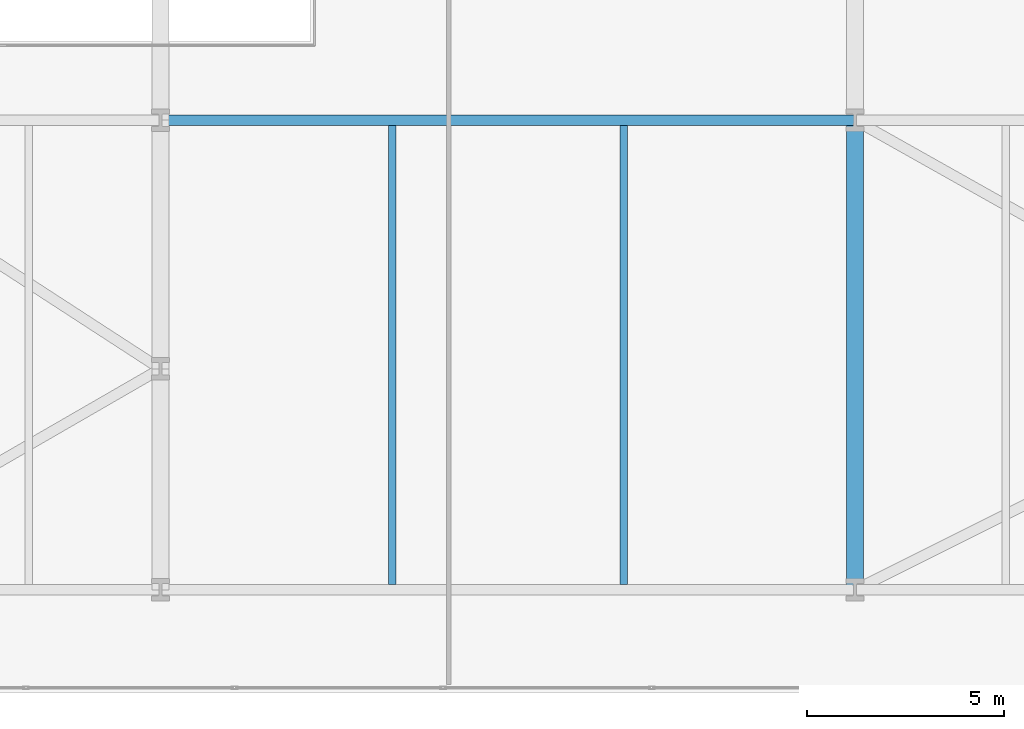
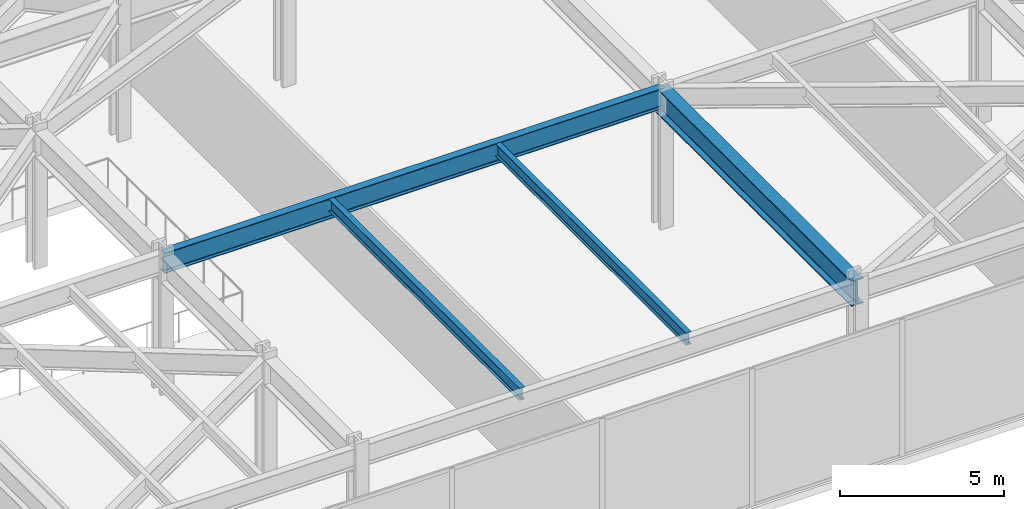
# One storey, part 15 of 29: 4 beams.
"""IFC4 building model written with IfcOpenShell, lengths in metres."""

from ifc_helpers import new_model, si_unit, direction, frame, origin, origin_2d, place, context, subcontext, project, spatial, i_section, extrude, material, material_profile, profile_set, type_object, element, save


model = new_model("IFC4")

# Units and contexts
model_context = context("Model", 3, precision=1e-05, world=origin(), true_north=direction((0.0, 1.0)))
body_context = subcontext(model_context, "Body", "Model", "MODEL_VIEW")
ifc_project = project(units=[si_unit("LENGTHUNIT", "METRE"), si_unit("AREAUNIT", "SQUARE_METRE"), si_unit("VOLUMEUNIT", "CUBIC_METRE"), si_unit("PLANEANGLEUNIT", "RADIAN"), si_unit("MASSUNIT", "GRAM", prefix="KILO")], contexts=[model_context])

# Site, building, storey
site_placement = place(None, origin())
site = spatial("IfcSite", under=ifc_project, at=site_placement, CompositionType="ELEMENT")
building_placement = place(site_placement, origin())
building = spatial("IfcBuilding", under=site, at=building_placement, Name="Kravanh Interchange Tower", CompositionType="ELEMENT")
storey_placement = place(building_placement, frame((0.0, 0.0, 5.39990234375)))
storey = spatial("IfcBuildingStorey", under=building, at=storey_placement, Name="L01", CompositionType="ELEMENT", Elevation=5.39990234375)

# Beams
ifc_material_1 = material(Name="Structural Steel S450", Category="steel")
ifc_material_profile_1 = material_profile(ifc_material_1, i_section(OverallWidth=0.423095703125, OverallDepth=0.947998046875, WebThickness=0.02392578125, FlangeThickness=0.042724609375, FilletRadius=0.028076171875, at=origin_2d()), Name="W36X302")
ifc_profile_set_1 = profile_set([ifc_material_profile_1], Name="Structural Steel S450")
beam_type_1 = type_object("IfcBeamType", Name="Floor Beam W36X302 Structural Steel S450", PredefinedType="BEAM", material=ifc_profile_set_1)
beam_1_placement = place(storey_placement, frame((44.800048828125, 2.60009765625, 4.656005859375), z_axis=(0.0, 1.0, 0.0), x_axis=(-1.0, 0.0, 0.0)))
element("IfcBeam", 1, at=beam_1_placement, inside=storey, type_object=beam_type_1, Name="L01 Primary Floor Girder 11", PredefinedType="BEAM", context=body_context, shape_type="SweptSolid", body=[
    extrude(i_section(OverallWidth=0.423095703125, OverallDepth=0.947998046875, WebThickness=0.02392578125, FlangeThickness=0.042724609375, FilletRadius=0.028076171875, at=origin_2d()), origin(), (0.0, 0.0, 1.0), 11.89990234375),
])
ifc_material_2 = material(Name="Structural Steel S355", Category="steel")
ifc_material_profile_2 = material_profile(ifc_material_2, i_section(OverallWidth=0.18994140625, OverallDepth=0.45703125, WebThickness=0.009033203125, FlangeThickness=0.014404296875, FilletRadius=0.01806640625, at=origin_2d()), Name="W18X50")
ifc_profile_set_2 = profile_set([ifc_material_profile_2], Name="Structural Steel S355")
beam_type_2 = type_object("IfcBeamType", Name="Floor Joist W18X50 Structural Steel S355", PredefinedType="JOIST", material=ifc_profile_set_2)
for number, where, z_axis, x_axis, name in (
    (2, (33.06591796875, 2.728515625, 4.901611328125), (0.0, 1.0, 0.0), (-1.0, 0.0, 0.0), "L01 Secondary Floor Joist 5"),
    (3, (38.93408203125, 2.728515625, 4.901611328125), (0.0, 1.0, 0.0), (-1.0, 0.0, 0.0), "L01 Secondary Floor Joist 6"),
):
    element("IfcBeam", number, at=place(storey_placement, frame(where, z_axis=z_axis, x_axis=x_axis)), inside=storey, type_object=beam_type_2, Name=name, PredefinedType="JOIST", context=body_context, shape_type="SweptSolid", body=[
        extrude(i_section(OverallWidth=0.18994140625, OverallDepth=0.45703125, WebThickness=0.009033203125, FlangeThickness=0.014404296875, FilletRadius=0.01806640625, at=origin_2d()), origin(), (0.0, 0.0, 1.0), 11.64306640625),
    ])
ifc_material_3 = material(Name="Structural Steel S355", Category="steel")
ifc_material_profile_3 = material_profile(ifc_material_3, i_section(OverallWidth=0.26708984375, OverallDepth=0.761962890625, WebThickness=0.014404296875, FlangeThickness=0.021484375, FilletRadius=0.02490234375, at=origin_2d()), Name="W30X116")
ifc_profile_set_3 = profile_set([ifc_material_profile_3], Name="Structural Steel S355")
beam_type_3 = type_object("IfcBeamType", Name="Floor Spandrel W30X116 Structural Steel S355", PredefinedType="SPANDREL", material=ifc_profile_set_3)
beam_2_placement = place(storey_placement, frame((27.199951171875, 14.5, 4.7490234375), z_axis=(1.0, 0.0, 0.0), x_axis=(0.0, 1.0, 0.0)))
element("IfcBeam", 4, at=beam_2_placement, inside=storey, type_object=beam_type_3, Name="L01 Perimeter Spandrel 46", PredefinedType="SPANDREL", context=body_context, shape_type="SweptSolid", body=[
    extrude(i_section(OverallWidth=0.26708984375, OverallDepth=0.761962890625, WebThickness=0.014404296875, FlangeThickness=0.021484375, FilletRadius=0.02490234375, at=origin_2d()), origin(), (0.0, 0.0, 1.0), 17.60009765625),
])

save(model, "model.ifc")
